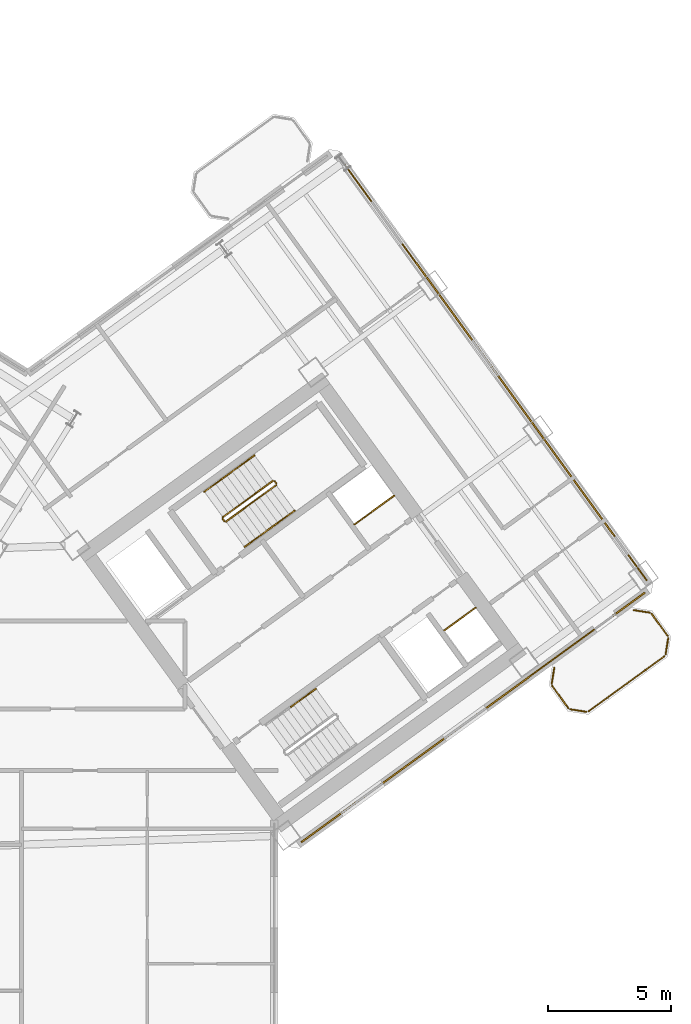
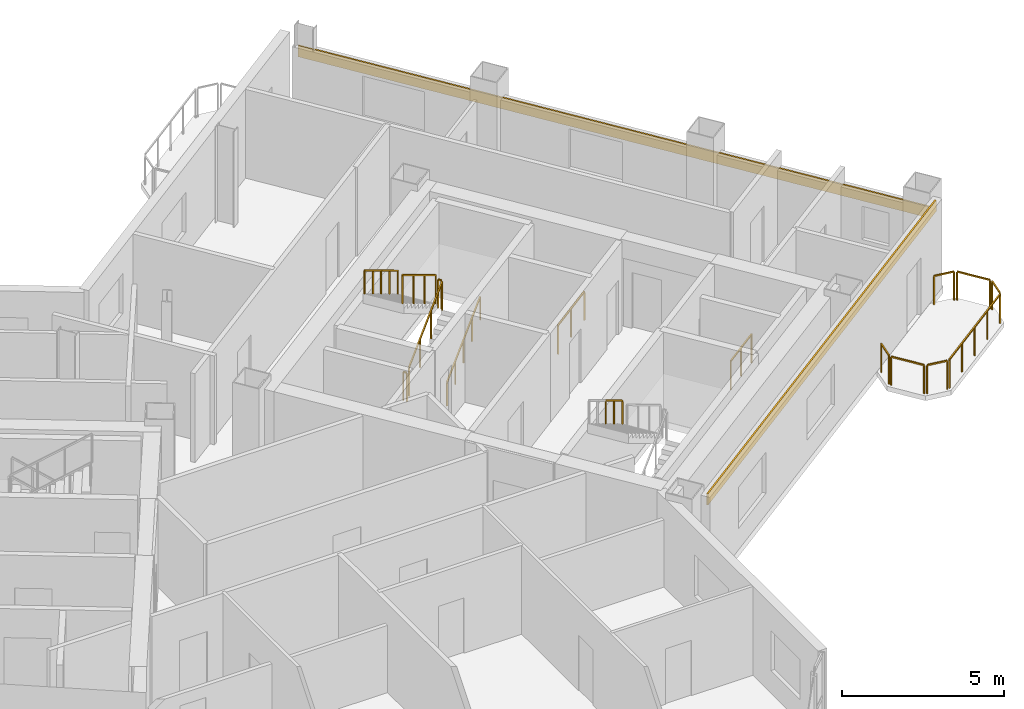
# One storey, part 20 of 21: 18 railings, 2 coverings.
"""IFC4 building model written with IfcOpenShell, lengths in metres."""

from ifc_helpers import new_model, si_unit, direction, frame, origin, origin_2d, place, context, subcontext, project, spatial, rectangle, extrude, source, transform, mapped, material, layer, layer_set, type_object, element, save


model = new_model("IFC4")

# Units and contexts
model_context = context("Model", 3, precision=1e-05, world=origin(), true_north=direction((0.0, 1.0)))
body_context = subcontext(model_context, "Body", "Model", "MODEL_VIEW")
ifc_project = project(units=[si_unit("LENGTHUNIT", "METRE"), si_unit("AREAUNIT", "SQUARE_METRE"), si_unit("VOLUMEUNIT", "CUBIC_METRE"), si_unit("PLANEANGLEUNIT", "RADIAN"), si_unit("MASSUNIT", "GRAM", prefix="KILO")], contexts=[model_context])

# Site, building, storey
site_placement = place(None, origin())
site = spatial("IfcSite", under=ifc_project, at=site_placement, CompositionType="ELEMENT")
building_placement = place(site_placement, origin())
building = spatial("IfcBuilding", under=site, at=building_placement, Name="Tlacorven Tower", CompositionType="ELEMENT")
storey_placement = place(building_placement, frame((0.0, 0.0, 112.5)))
storey = spatial("IfcBuildingStorey", under=building, at=storey_placement, Name="L28", CompositionType="ELEMENT", Elevation=112.5)

# Railings
ifc_material_1 = material(Name="Aluminium and painted steel balustrade", Category="steel")
railing_type_1 = type_object("IfcRailingType", Name="RL-GRD-1100", PredefinedType="GUARDRAIL", material=ifc_material_1)
shared_shape_1 = source(origin(), body_context, "Body", "SweptSolid", [
    extrude(rectangle(XDim=0.048095703125, YDim=0.048095703125, at=origin_2d()), frame((0.0, 0.0, 1.076171875), z_axis=(0.808947177504, 0.587881334972, 0.0), x_axis=(-0.587881334972, 0.808947177504, 0.0)), (0.0, 0.0, 1.0), 2.0),
    extrude(rectangle(XDim=0.0419921875, YDim=0.0419921875, at=origin_2d()), origin(), (0.0, 0.0, 1.0), 1.052001953125),
    extrude(rectangle(XDim=0.0419921875, YDim=0.0419921875, at=origin_2d()), frame((0.80908203125, 0.587890625, 0.0)), (0.0, 0.0, 1.0), 1.052001953125),
    extrude(rectangle(XDim=0.0419921875, YDim=0.0419921875, at=origin_2d()), frame((1.617919921875, 1.17578125, 0.0)), (0.0, 0.0, 1.0), 1.052001953125),
])
railing_1_placement = place(storey_placement, frame((55.506103515625, 25.438232421875, 0.0)))
element("IfcRailing", 1, at=railing_1_placement, inside=storey, type_object=railing_type_1, Name="L28 Electrical Riser E Shaft Guard 1", PredefinedType="GUARDRAIL", context=body_context, shape_type="MappedRepresentation", body=[
    mapped(shared_shape_1, transform((0.0, 0.0, 0.0), scale=1.0)),
])
shared_shape_2 = source(origin(), body_context, "Body", "SweptSolid", [
    extrude(rectangle(XDim=0.048095703125, YDim=0.048095703125, at=origin_2d()), frame((0.0, 0.0, 1.076171875), z_axis=(0.809029975545, 0.58776738483, 0.0), x_axis=(-0.58776738483, 0.809029975545, 0.0)), (0.0, 0.0, 1.0), 1.580078125),
    extrude(rectangle(XDim=0.0419921875, YDim=0.0419921875, at=origin_2d()), origin(), (0.0, 0.0, 1.0), 1.052001953125),
    extrude(rectangle(XDim=0.0419921875, YDim=0.0419921875, at=origin_2d()), frame((0.63916015625, 0.46435546875, 0.0)), (0.0, 0.0, 1.0), 1.052001953125),
    extrude(rectangle(XDim=0.0419921875, YDim=0.0419921875, at=origin_2d()), frame((1.2783203125, 0.9287109375, 0.0)), (0.0, 0.0, 1.0), 1.052001953125),
])
railing_2_placement = place(storey_placement, frame((59.160888671875, 21.122314453125, 0.0)))
element("IfcRailing", 2, at=railing_2_placement, inside=storey, type_object=railing_type_1, Name="L28 Smoke Riser E Shaft Guard 1", PredefinedType="GUARDRAIL", context=body_context, shape_type="MappedRepresentation", body=[
    mapped(shared_shape_2, transform((0.0, 0.0, 0.0), scale=1.0)),
])
railing_type_2 = type_object("IfcRailingType", Name="RL-BAL-1100", PredefinedType="BALUSTRADE", material=ifc_material_1)
shared_shape_3 = source(origin(), body_context, "Body", "SweptSolid", [
    extrude(rectangle(XDim=0.048095703125, YDim=0.048095703125, at=origin_2d()), frame((0.0, 0.0, 1.076171875), z_axis=(0.156602868908, 0.987661653326, 0.0), x_axis=(-0.987661653326, 0.156602868908, 0.0)), (0.0, 0.0, 1.0), 0.665771484375),
    extrude(rectangle(XDim=0.0419921875, YDim=0.0419921875, at=origin_2d()), origin(), (0.0, 0.0, 1.0), 1.052001953125),
    extrude(rectangle(XDim=0.0419921875, YDim=0.0419921875, at=origin_2d()), frame((0.104248046875, 0.657470703125, 0.0)), (0.0, 0.0, 1.0), 1.052001953125),
])
railing_3_placement = place(storey_placement, frame((63.539306640625, 18.949951171875, 0.0)))
element("IfcRailing", 3, at=railing_3_placement, inside=storey, type_object=railing_type_2, Name="BAL-L28-E-OUT Guard Railing 3", PredefinedType="BALUSTRADE", context=body_context, shape_type="MappedRepresentation", body=[
    mapped(shared_shape_3, transform((0.0, 0.0, 0.0), scale=1.0)),
])
shared_shape_4 = source(origin(), body_context, "Body", "SweptSolid", [
    extrude(rectangle(XDim=0.048095703125, YDim=0.048095703125, at=origin_2d()), frame((0.0, 0.0, 1.076171875), z_axis=(0.58788449985, -0.808944877501, 0.0), x_axis=(0.808944877501, 0.58788449985, 0.0)), (0.0, 0.0, 1.0), 1.112060546875),
    extrude(rectangle(XDim=0.0419921875, YDim=0.0419921875, at=origin_2d()), origin(), (0.0, 0.0, 1.0), 1.052001953125),
    extrude(rectangle(XDim=0.0419921875, YDim=0.0419921875, at=origin_2d()), frame((0.65380859375, -0.899658203125, 0.0)), (0.0, 0.0, 1.0), 1.052001953125),
])
railing_4_placement = place(storey_placement, frame((67.60595703125, 21.799072265625, 0.0)))
element("IfcRailing", 4, at=railing_4_placement, inside=storey, type_object=railing_type_2, Name="BAL-L28-E-OUT Guard Railing 5", PredefinedType="BALUSTRADE", context=body_context, shape_type="MappedRepresentation", body=[
    mapped(shared_shape_4, transform((0.0, 0.0, 0.0), scale=1.0)),
])
shared_shape_5 = source(origin(), body_context, "Body", "SweptSolid", [
    extrude(rectangle(XDim=0.048095703125, YDim=0.048095703125, at=origin_2d()), frame((0.0, 0.0, 1.076171875), z_axis=(-0.809018102573, -0.587783726986, 0.0), x_axis=(0.587783726986, -0.809018102573, 0.0)), (0.0, 0.0, 1.0), 3.817138671875),
    extrude(rectangle(XDim=0.0419921875, YDim=0.0419921875, at=origin_2d()), origin(), (0.0, 0.0, 1.0), 1.052001953125),
    extrude(rectangle(XDim=0.0419921875, YDim=0.0419921875, at=origin_2d()), frame((-0.77197265625, -0.56103515625, 0.0)), (0.0, 0.0, 1.0), 1.052001953125),
    extrude(rectangle(XDim=0.0419921875, YDim=0.0419921875, at=origin_2d()), frame((-1.5439453125, -1.121826171875, 0.0)), (0.0, 0.0, 1.0), 1.052001953125),
    extrude(rectangle(XDim=0.0419921875, YDim=0.0419921875, at=origin_2d()), frame((-2.316162109375, -1.6826171875, 0.0)), (0.0, 0.0, 1.0), 1.052001953125),
    extrude(rectangle(XDim=0.0419921875, YDim=0.0419921875, at=origin_2d()), frame((-3.088134765625, -2.24365234375, 0.0)), (0.0, 0.0, 1.0), 1.052001953125),
])
railing_5_placement = place(storey_placement, frame((68.12890625, 20.0732421875, 0.0)))
element("IfcRailing", 5, at=railing_5_placement, inside=storey, type_object=railing_type_2, Name="BAL-L28-E-OUT Guard Railing 7", PredefinedType="BALUSTRADE", context=body_context, shape_type="MappedRepresentation", body=[
    mapped(shared_shape_5, transform((0.0, 0.0, 0.0), scale=1.0)),
])
shared_shape_6 = source(origin(), body_context, "Body", "SweptSolid", [
    extrude(rectangle(XDim=0.048095703125, YDim=0.048095703125, at=origin_2d()), frame((0.0, 0.0, 1.076171875), z_axis=(-0.987718317463, 0.156245081039, 0.0), x_axis=(-0.156245081039, -0.987718317463, 0.0)), (0.0, 0.0, 1.0), 0.66552734375),
    extrude(rectangle(XDim=0.0419921875, YDim=0.0419921875, at=origin_2d()), origin(), (0.0, 0.0, 1.0), 1.052001953125),
    extrude(rectangle(XDim=0.0419921875, YDim=0.0419921875, at=origin_2d()), frame((-0.657470703125, 0.10400390625, 0.0)), (0.0, 0.0, 1.0), 1.052001953125),
])
railing_6_placement = place(storey_placement, frame((64.950927734375, 17.80810546875, 0.0)))
element("IfcRailing", 6, at=railing_6_placement, inside=storey, type_object=railing_type_2, Name="BAL-L28-E-OUT Guard Railing 1", PredefinedType="BALUSTRADE", context=body_context, shape_type="MappedRepresentation", body=[
    mapped(shared_shape_6, transform((0.0, 0.0, 0.0), scale=1.0)),
])
shared_shape_7 = source(origin(), body_context, "Body", "SweptSolid", [
    extrude(rectangle(XDim=0.048095703125, YDim=0.048095703125, at=origin_2d()), frame((0.0, 0.0, 1.076171875), z_axis=(-0.587740817519, 0.809049276263, 0.0), x_axis=(-0.809049276263, -0.587740817519, 0.0)), (0.0, 0.0, 1.0), 1.112060546875),
    extrude(rectangle(XDim=0.0419921875, YDim=0.0419921875, at=origin_2d()), origin(), (0.0, 0.0, 1.0), 1.052001953125),
    extrude(rectangle(XDim=0.0419921875, YDim=0.0419921875, at=origin_2d()), frame((-0.653564453125, 0.899658203125, 0.0)), (0.0, 0.0, 1.0), 1.052001953125),
])
railing_7_placement = place(storey_placement, frame((64.214599609375, 17.96044921875, 0.0)))
element("IfcRailing", 7, at=railing_7_placement, inside=storey, type_object=railing_type_2, Name="BAL-L28-E-OUT Guard Railing 2", PredefinedType="BALUSTRADE", context=body_context, shape_type="MappedRepresentation", body=[
    mapped(shared_shape_7, transform((0.0, 0.0, 0.0), scale=1.0)),
])
shared_shape_8 = source(origin(), body_context, "Body", "SweptSolid", [
    extrude(rectangle(XDim=0.048095703125, YDim=0.048095703125, at=origin_2d()), frame((0.0, 0.0, 1.076171875), z_axis=(-0.156245081039, -0.987718317463, 0.0), x_axis=(0.987718317463, -0.156245081039, 0.0)), (0.0, 0.0, 1.0), 0.66552734375),
    extrude(rectangle(XDim=0.0419921875, YDim=0.0419921875, at=origin_2d()), origin(), (0.0, 0.0, 1.0), 1.052001953125),
    extrude(rectangle(XDim=0.0419921875, YDim=0.0419921875, at=origin_2d()), frame((-0.10400390625, -0.657470703125, 0.0)), (0.0, 0.0, 1.0), 1.052001953125),
])
railing_8_placement = place(storey_placement, frame((68.28125, 20.8095703125, 0.0)))
element("IfcRailing", 8, at=railing_8_placement, inside=storey, type_object=railing_type_2, Name="BAL-L28-E-OUT Guard Railing 6", PredefinedType="BALUSTRADE", context=body_context, shape_type="MappedRepresentation", body=[
    mapped(shared_shape_8, transform((0.0, 0.0, 0.0), scale=1.0)),
])

# Coverings
ifc_material_2 = material(Name="Precast concrete C45/55", Category="concrete")
ifc_layer = layer(ifc_material_2, 0.06005859375)
ifc_layer_set = layer_set([ifc_layer], Name="Precast concrete C45/55")
covering_type = type_object("IfcCoveringType", Name="CV-CLD-TERC", PredefinedType="CLADDING", material=ifc_layer_set)
shared_shape_9 = source(origin(), body_context, "Body", "SweptSolid", [
    extrude(rectangle(XDim=21.287353515625, YDim=0.06005859375, at=origin_2d()), origin(), (0.0, 0.0, 1.0), 0.419921875),
])
covering_1_placement = place(storey_placement, frame((61.15478515625, 31.767333984375, 2.35498046875), z_axis=(0.0, 0.0, 1.0), x_axis=(0.587785363163, -0.809016913823, 0.0)))
element("IfcCovering", 9, at=covering_1_placement, inside=storey, type_object=covering_type, Name="L28 Masonry-Frame Spandrel Cladding 5", PredefinedType="CLADDING", context=body_context, shape_type="MappedRepresentation", body=[
    mapped(shared_shape_9, transform((0.0, 0.0, 0.0), scale=1.0)),
])
shared_shape_10 = source(origin(), body_context, "Body", "SweptSolid", [
    extrude(rectangle(XDim=17.287353515625, YDim=0.06005859375, at=origin_2d()), origin(), (0.0, 0.0, 1.0), 0.419921875),
])
covering_2_placement = place(storey_placement, frame((60.339111328125, 17.578125, 2.929931640625), z_axis=(0.0, 0.0, 1.0), x_axis=(-0.809016829126, -0.587785479738, 0.0)))
element("IfcCovering", 10, at=covering_2_placement, inside=storey, type_object=covering_type, Name="L28 Masonry-Frame Spandrel Cladding 6", PredefinedType="CLADDING", context=body_context, shape_type="MappedRepresentation", body=[
    mapped(shared_shape_10, transform((0.0, 0.0, 0.0), scale=1.0)),
])

# Railings
shared_shape_11 = source(origin(), body_context, "Body", "SweptSolid", [
    extrude(rectangle(XDim=0.048095703125, YDim=0.048095703125, at=origin_2d()), frame((0.0, 0.0, 1.076171875), z_axis=(0.987727266442, -0.156188498702, 0.0), x_axis=(0.156188498702, 0.987727266442, 0.0)), (0.0, 0.0, 1.0), 0.665771484375),
    extrude(rectangle(XDim=0.0419921875, YDim=0.0419921875, at=origin_2d()), origin(), (0.0, 0.0, 1.0), 1.052001953125),
    extrude(rectangle(XDim=0.0419921875, YDim=0.0419921875, at=origin_2d()), frame((0.65771484375, -0.10400390625, 0.0)), (0.0, 0.0, 1.0), 1.052001953125),
])
railing_9_placement = place(storey_placement, frame((66.86962890625, 21.951416015625, 0.0)))
element("IfcRailing", 11, at=railing_9_placement, inside=storey, type_object=railing_type_2, Name="BAL-L28-E-OUT Guard Railing 4", PredefinedType="BALUSTRADE", context=body_context, shape_type="MappedRepresentation", body=[
    mapped(shared_shape_11, transform((0.0, 0.0, 0.0), scale=1.0)),
])
shared_shape_12 = source(origin(), body_context, "Body", "SweptSolid", [
    extrude(rectangle(XDim=0.048095703125, YDim=0.048095703125, at=origin_2d()), frame((0.0, 0.0, 1.076171875), z_axis=(-0.587201422542, 0.809440849824, 0.0), x_axis=(-0.809440849824, -0.587201422542, 0.0)), (0.0, 0.0, 1.0), 0.11962890625),
    extrude(rectangle(XDim=0.0419921875, YDim=0.0419921875, at=origin_2d()), origin(), (0.0, 0.0, 1.0), 1.052001953125),
    extrude(rectangle(XDim=0.0419921875, YDim=0.0419921875, at=origin_2d()), frame((-0.0703125, 0.096923828125, 0.0)), (0.0, 0.0, 1.0), 1.052001953125),
])
for number, where, name in (
    (12, (52.326904296875, 27.10888671875, 1.800048828125), "L28 ST-E1 stair guard 2"),
    (13, (50.207275390625, 25.56884765625, 0.0), "L28 ST-E1 stair guard 4"),
):
    element("IfcRailing", number, at=place(storey_placement, frame(where)), inside=storey, type_object=railing_type_1, Name=name, PredefinedType="GUARDRAIL", context=body_context, shape_type="MappedRepresentation", body=[
        mapped(shared_shape_12, transform((0.0, 0.0, 0.0), scale=1.0)),
    ])
shared_shape_13 = source(origin(), body_context, "Body", "SweptSolid", [
    extrude(rectangle(XDim=0.048095703125, YDim=0.048095703125, at=origin_2d()), frame((0.0, 0.0, 1.076171875), z_axis=(0.680488636597, 0.494434078831, 0.540805100894), x_axis=(-0.5878087079, 0.808999952359, 0.0)), (0.0, 0.0, 1.0), 2.995849609375),
    extrude(rectangle(XDim=0.0419921875, YDim=0.0419921875, at=origin_2d()), origin(), (0.0, 0.0, 1.0), 1.052001953125),
    extrude(rectangle(XDim=0.0419921875, YDim=0.0419921875, at=origin_2d()), frame((0.679443359375, 0.49365234375, 0.5400390625)), (0.0, 0.0, 1.0), 1.052001953125),
    extrude(rectangle(XDim=0.0419921875, YDim=0.0419921875, at=origin_2d()), frame((1.359130859375, 0.987548828125, 1.080078125)), (0.0, 0.0, 1.0), 1.052001953125),
    extrude(rectangle(XDim=0.0419921875, YDim=0.0419921875, at=origin_2d()), frame((2.03857421875, 1.481201171875, 1.6201171875)), (0.0, 0.0, 1.0), 1.052001953125),
])
railing_10_placement = place(storey_placement, frame((50.27734375, 25.557861328125, 0.179931640625)))
element("IfcRailing", 14, at=railing_10_placement, inside=storey, type_object=railing_type_1, Name="L28 ST-E1 stair guard 1", PredefinedType="GUARDRAIL", context=body_context, shape_type="MappedRepresentation", body=[
    mapped(shared_shape_13, transform((0.0, 0.0, 0.0), scale=1.0)),
])
shared_shape_14 = source(origin(), body_context, "Body", "SweptSolid", [
    extrude(rectangle(XDim=0.048095703125, YDim=0.048095703125, at=origin_2d()), frame((0.0, 0.0, 1.076171875), z_axis=(-0.680488636597, -0.494434078831, 0.540805100894), x_axis=(0.5878087079, -0.808999952359, 0.0)), (0.0, 0.0, 1.0), 2.995849609375),
    extrude(rectangle(XDim=0.0419921875, YDim=0.0419921875, at=origin_2d()), origin(), (0.0, 0.0, 1.0), 1.052001953125),
    extrude(rectangle(XDim=0.0419921875, YDim=0.0419921875, at=origin_2d()), frame((-0.679443359375, -0.49365234375, 0.5400390625)), (0.0, 0.0, 1.0), 1.052001953125),
    extrude(rectangle(XDim=0.0419921875, YDim=0.0419921875, at=origin_2d()), frame((-1.359130859375, -0.987548828125, 1.080078125)), (0.0, 0.0, 1.0), 1.052001953125),
    extrude(rectangle(XDim=0.0419921875, YDim=0.0419921875, at=origin_2d()), frame((-2.03857421875, -1.481201171875, 1.6201171875)), (0.0, 0.0, 1.0), 1.052001953125),
])
railing_11_placement = place(storey_placement, frame((52.1865234375, 27.217041015625, 1.97998046875)))
element("IfcRailing", 15, at=railing_11_placement, inside=storey, type_object=railing_type_1, Name="L28 ST-E1 stair guard 3", PredefinedType="GUARDRAIL", context=body_context, shape_type="MappedRepresentation", body=[
    mapped(shared_shape_14, transform((0.0, 0.0, 0.0), scale=1.0)),
])
railing_type_3 = type_object("IfcRailingType", Name="RL-HND-0900", PredefinedType="HANDRAIL", material=ifc_material_1)
shared_shape_15 = source(origin(), body_context, "Body", "SweptSolid", [
    extrude(rectangle(XDim=0.048095703125, YDim=0.048095703125, at=origin_2d()), frame((0.0, 0.0, 0.8759765625), z_axis=(0.680516055757, 0.494372502302, 0.540826891737), x_axis=(-0.587745292299, 0.809046025502, 0.0)), (0.0, 0.0, 1.0), 1.497802734375),
    extrude(rectangle(XDim=0.0419921875, YDim=0.0419921875, at=origin_2d()), origin(), (0.0, 0.0, 1.0), 0.851806640625),
    extrude(rectangle(XDim=0.0419921875, YDim=0.0419921875, at=origin_2d()), frame((0.509765625, 0.3701171875, 0.405029296875)), (0.0, 0.0, 1.0), 0.851806640625),
    extrude(rectangle(XDim=0.0419921875, YDim=0.0419921875, at=origin_2d()), frame((1.019287109375, 0.740478515625, 0.81005859375)), (0.0, 0.0, 1.0), 0.851806640625),
])
railing_12_placement = place(storey_placement, frame((51.029541015625, 24.522216796875, 0.179931640625)))
element("IfcRailing", 16, at=railing_12_placement, inside=storey, type_object=railing_type_3, Name="L28 ST-E1 stair handrail 1", PredefinedType="HANDRAIL", context=body_context, shape_type="MappedRepresentation", body=[
    mapped(shared_shape_15, transform((0.0, 0.0, 0.0), scale=1.0)),
])
shared_shape_16 = source(origin(), body_context, "Body", "SweptSolid", [
    extrude(rectangle(XDim=0.048095703125, YDim=0.048095703125, at=origin_2d()), frame((0.0, 0.0, 0.8759765625), z_axis=(0.680548719995, 0.49444080854, 0.540723336433), x_axis=(-0.587779977844, 0.80902082646, 0.0)), (0.0, 0.0, 1.0), 1.498046875),
    extrude(rectangle(XDim=0.0419921875, YDim=0.0419921875, at=origin_2d()), origin(), (0.0, 0.0, 1.0), 0.851806640625),
    extrude(rectangle(XDim=0.0419921875, YDim=0.0419921875, at=origin_2d()), frame((0.509765625, 0.370361328125, 0.405029296875)), (0.0, 0.0, 1.0), 0.851806640625),
    extrude(rectangle(XDim=0.0419921875, YDim=0.0419921875, at=origin_2d()), frame((1.01953125, 0.74072265625, 0.81005859375)), (0.0, 0.0, 1.0), 0.851806640625),
])
railing_13_placement = place(storey_placement, frame((52.048828125, 25.2626953125, 0.989990234375)))
element("IfcRailing", 17, at=railing_13_placement, inside=storey, type_object=railing_type_3, Name="L28 ST-E1 stair handrail 2", PredefinedType="HANDRAIL", context=body_context, shape_type="MappedRepresentation", body=[
    mapped(shared_shape_16, transform((0.0, 0.0, 0.0), scale=1.0)),
])
shared_shape_17 = source(origin(), body_context, "Body", "SweptSolid", [
    extrude(rectangle(XDim=0.048095703125, YDim=0.048095703125, at=origin_2d()), frame((0.0, 0.0, 0.8759765625), z_axis=(-0.680603554404, -0.494317667746, 0.540766904577), x_axis=(0.587653156371, -0.809112951205, 0.0)), (0.0, 0.0, 1.0), 1.498046875),
    extrude(rectangle(XDim=0.0419921875, YDim=0.0419921875, at=origin_2d()), origin(), (0.0, 0.0, 1.0), 0.851806640625),
    extrude(rectangle(XDim=0.0419921875, YDim=0.0419921875, at=origin_2d()), frame((-0.509765625, -0.3701171875, 0.405029296875)), (0.0, 0.0, 1.0), 0.851806640625),
    extrude(rectangle(XDim=0.0419921875, YDim=0.0419921875, at=origin_2d()), frame((-1.01953125, -0.740478515625, 0.81005859375)), (0.0, 0.0, 1.0), 0.851806640625),
])
railing_14_placement = place(storey_placement, frame((51.434326171875, 28.25244140625, 1.97998046875)))
element("IfcRailing", 18, at=railing_14_placement, inside=storey, type_object=railing_type_3, Name="L28 ST-E1 stair handrail 3", PredefinedType="HANDRAIL", context=body_context, shape_type="MappedRepresentation", body=[
    mapped(shared_shape_17, transform((0.0, 0.0, 0.0), scale=1.0)),
])
shared_shape_18 = source(origin(), body_context, "Body", "SweptSolid", [
    extrude(rectangle(XDim=0.048095703125, YDim=0.048095703125, at=origin_2d()), frame((0.0, 0.0, 0.8759765625), z_axis=(-0.680461216233, -0.494495647917, 0.540783309093), x_axis=(0.587872112667, -0.808953879494, 0.0)), (0.0, 0.0, 1.0), 1.498046875),
    extrude(rectangle(XDim=0.0419921875, YDim=0.0419921875, at=origin_2d()), origin(), (0.0, 0.0, 1.0), 0.851806640625),
    extrude(rectangle(XDim=0.0419921875, YDim=0.0419921875, at=origin_2d()), frame((-0.509765625, -0.370361328125, 0.405029296875)), (0.0, 0.0, 1.0), 0.851806640625),
    extrude(rectangle(XDim=0.0419921875, YDim=0.0419921875, at=origin_2d()), frame((-1.019287109375, -0.74072265625, 0.81005859375)), (0.0, 0.0, 1.0), 0.851806640625),
])
railing_15_placement = place(storey_placement, frame((50.414794921875, 27.511962890625, 2.7900390625)))
element("IfcRailing", 19, at=railing_15_placement, inside=storey, type_object=railing_type_3, Name="L28 ST-E1 stair handrail 4", PredefinedType="HANDRAIL", context=body_context, shape_type="MappedRepresentation", body=[
    mapped(shared_shape_18, transform((0.0, 0.0, 0.0), scale=1.0)),
])
shared_shape_19 = source(origin(), body_context, "Body", "SweptSolid", [
    extrude(rectangle(XDim=0.048095703125, YDim=0.048095703125, at=origin_2d()), frame((0.0, 0.0, 0.8759765625), z_axis=(-0.680516055757, -0.494372502302, 0.540826891737), x_axis=(0.587745292299, -0.809046025502, 0.0)), (0.0, 0.0, 1.0), 1.497802734375),
    extrude(rectangle(XDim=0.0419921875, YDim=0.0419921875, at=origin_2d()), origin(), (0.0, 0.0, 1.0), 0.851806640625),
    extrude(rectangle(XDim=0.0419921875, YDim=0.0419921875, at=origin_2d()), frame((-0.509765625, -0.3701171875, 0.405029296875)), (0.0, 0.0, 1.0), 0.851806640625),
    extrude(rectangle(XDim=0.0419921875, YDim=0.0419921875, at=origin_2d()), frame((-1.019287109375, -0.740478515625, 0.81005859375)), (0.0, 0.0, 1.0), 0.851806640625),
])
railing_16_placement = place(storey_placement, frame((53.938232421875, 18.749267578125, 1.97998046875)))
element("IfcRailing", 20, at=railing_16_placement, inside=storey, type_object=railing_type_3, Name="L28 ST-E2 stair handrail 3", PredefinedType="HANDRAIL", context=body_context, shape_type="MappedRepresentation", body=[
    mapped(shared_shape_19, transform((0.0, 0.0, 0.0), scale=1.0)),
])

save(model, "model.ifc")
